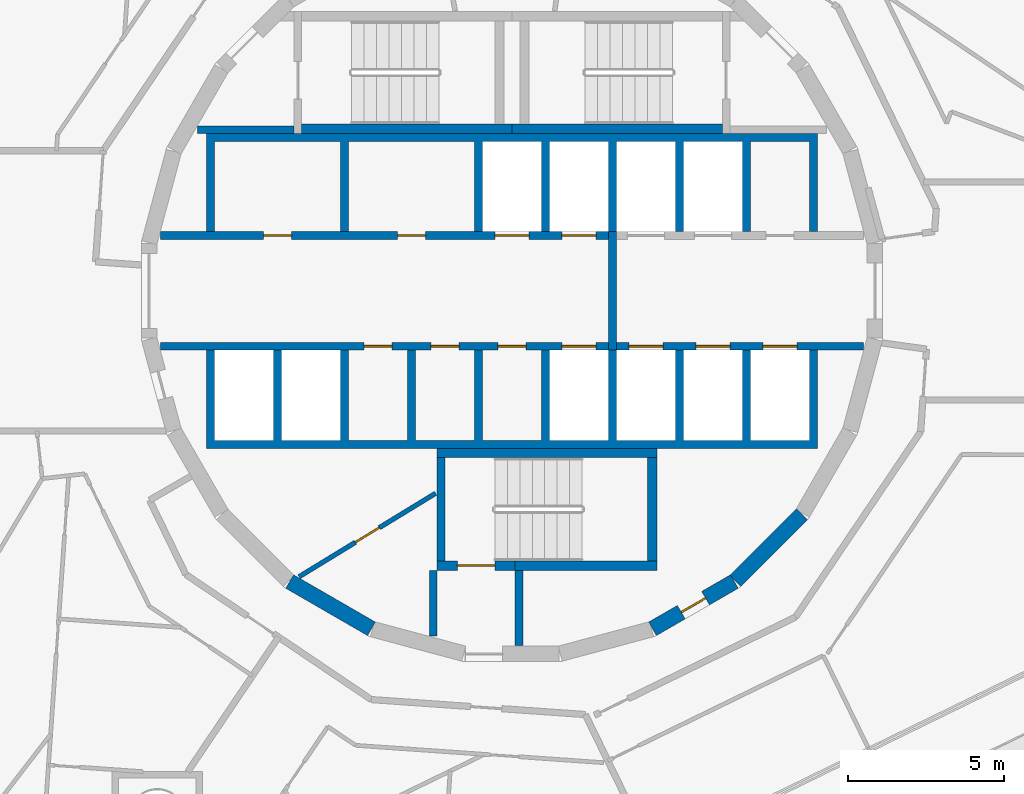
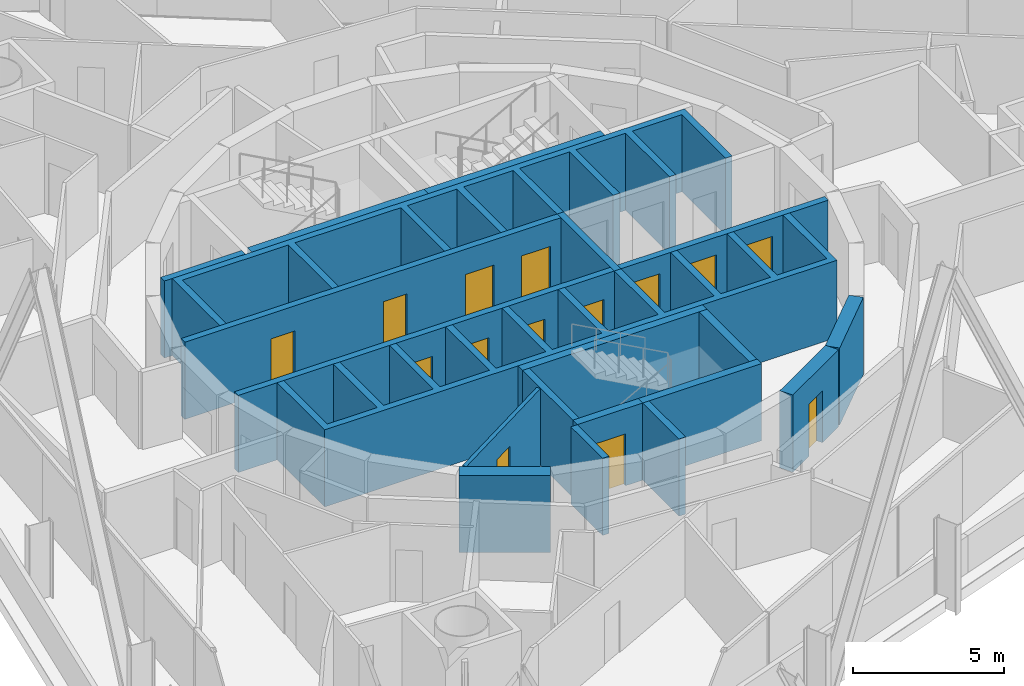
# One storey, part 13 of 18: 20 walls, 14 doors, 14 openings.
"""IFC4 building model written with IfcOpenShell, lengths in metres."""

from ifc_helpers import new_model, si_unit, direction, frame, frame_2d, origin, place, context, subcontext, project, spatial, polyline, rectangle, outline, extrude, material, layer, layer_set, type_object, element, fill, save


model = new_model("IFC4")

# Units and contexts
model_context = context("Model", 3, precision=1e-05, world=origin(), true_north=direction((0.0, 1.0)))
body_context = subcontext(model_context, "Body", "Model", "MODEL_VIEW")
ifc_project = project(units=[si_unit("LENGTHUNIT", "METRE"), si_unit("AREAUNIT", "SQUARE_METRE"), si_unit("VOLUMEUNIT", "CUBIC_METRE"), si_unit("PLANEANGLEUNIT", "RADIAN"), si_unit("MASSUNIT", "GRAM", prefix="KILO")], contexts=[model_context])

# Site, building, storey
site_placement = place(None, origin())
site = spatial("IfcSite", under=ifc_project, at=site_placement, CompositionType="ELEMENT")
building_placement = place(site_placement, origin())
building = spatial("IfcBuilding", under=site, at=building_placement, Name="Spindle Arch Residences", CompositionType="ELEMENT")
storey_placement = place(building_placement, frame((0.0, 0.0, 188.39990234375)))
storey = spatial("IfcBuildingStorey", under=building, at=storey_placement, Name="L47", CompositionType="ELEMENT", Elevation=188.39990234375)

# Wall, opening, door
ifc_material_1 = material(Name="Concrete C50/60", Category="concrete")
ifc_layer_1 = layer(ifc_material_1, 0.5)
ifc_layer_set_1 = layer_set([ifc_layer_1], Name="Core outline wall 500")
wall_type_1 = type_object("IfcWallType", Name="Core outline wall 500", PredefinedType="SHEAR", material=ifc_layer_set_1)
wall_1_placement = place(storey_placement, frame((4.510498046875, -10.84521484375, 0.0), z_axis=(0.0, 0.0, 1.0), x_axis=(0.865975092491, 0.500087131594, 0.0)))
wall_1 = element("IfcWall", 1, at=wall_1_placement, inside=storey, type_object=wall_type_1, Name="Core outline wall 2", PredefinedType="SHEAR", context=body_context, shape_type="SweptSolid", body=[
    extrude(rectangle(XDim=3.03271484375, YDim=0.5, at=frame_2d((1.516357421875, 0.0))), origin(), (0.0, 0.0, 1.0), 3.1201171875),
])
opening_1_placement = place(wall_1_placement, frame((1.06640625, 0.0, 0.0)))
opening_1 = element("IfcOpeningElement", 2, at=opening_1_placement, cuts=wall_1, Name="Opening R5A0-WD10", PredefinedType="OPENING", context=body_context, shape_type="SweptSolid", body=[
    extrude(rectangle(XDim=0.89990234375, YDim=2.10009765625, at=frame_2d((0.449951171875, 1.050048828125))), frame((0.0, 0.260009765625, 0.0), z_axis=(0.0, -1.0, 0.0), x_axis=(1.0, 0.0, 0.0)), (0.0, 0.0, 1.0), 0.52001953125),
])
ifc_material_2 = material(Name="Steel, fire-resisting door", Category="steel")
door_type_1 = type_object("IfcDoorType", Name="Service room door 900x2100", OperationType="SINGLE_SWING_LEFT", PredefinedType="DOOR", material=ifc_material_2)
door_1_placement = place(opening_1_placement, origin())
door_1 = element("IfcDoor", 3, at=door_1_placement, inside=storey, type_object=door_type_1, Name="Service room door R5A0-WD10", OperationType="SINGLE_SWING_RIGHT", OverallHeight=2.10009765625, OverallWidth=0.89990234375, PredefinedType="DOOR", context=body_context, shape_type="SweptSolid", body=[
    extrude(rectangle(XDim=0.89990234375, YDim=2.10009765625, at=frame_2d((0.449951171875, 1.050048828125))), frame((0.0, 0.02490234375, 0.0), z_axis=(0.0, -1.0, 0.0), x_axis=(1.0, 0.0, 0.0)), (0.0, 0.0, 1.0), 0.050048828125),
])
fill(opening_1, door_1)

# Walls
wall_2_placement = place(storey_placement, frame((7.163818359375, -9.30810546875, 0.0), z_axis=(0.0, 0.0, 1.0), x_axis=(0.707106781187, 0.707106781187, 0.0)))
element("IfcWall", 4, at=wall_2_placement, inside=storey, type_object=wall_type_1, Name="Core outline wall 3", PredefinedType="SHEAR", context=body_context, shape_type="SweptSolid", body=[
    extrude(rectangle(XDim=3.032470703125, YDim=0.5, at=frame_2d((1.51611328125, 0.0))), origin(), (0.0, 0.0, 1.0), 3.1201171875),
])
wall_3_placement = place(storey_placement, frame((-7.13671875, -9.32861328125, 0.0), z_axis=(0.0, 0.0, 1.0), x_axis=(0.865975092491, -0.500087131594, 0.0)))
element("IfcWall", 5, at=wall_3_placement, inside=storey, type_object=wall_type_1, Name="Core outline wall 22", PredefinedType="SHEAR", context=body_context, shape_type="SweptSolid", body=[
    extrude(rectangle(XDim=3.03271484375, YDim=0.5, at=frame_2d((1.516357421875, 0.0))), origin(), (0.0, 0.0, 1.0), 3.1201171875),
])
ifc_material_3 = material(Name="Concrete C40/50", Category="concrete")
ifc_layer_2 = layer(ifc_material_3, 0.25)
ifc_layer_set_2 = layer_set([ifc_layer_2], Name="Fire-lift lobby wall 250")
wall_type_2 = type_object("IfcWallType", Name="Fire-lift lobby wall 250", PredefinedType="SHEAR", material=ifc_layer_set_2)
wall_4_placement = place(storey_placement, frame((3.22509765625, -1.89990234375, 0.0), z_axis=(0.0, 0.0, 1.0), x_axis=(0.0, 1.0, 0.0)))
element("IfcWall", 6, at=wall_4_placement, inside=storey, type_object=wall_type_2, Name="Fire-fighting lobby partition", PredefinedType="SHEAR", context=body_context, shape_type="SweptSolid", body=[
    extrude(rectangle(XDim=3.7998046875, YDim=0.25, at=frame_2d((1.89990234375, 0.0))), origin(), (0.0, 0.0, 1.0), 3.1201171875),
])

# Wall, openings, doors
ifc_material_4 = material(Name="Concrete C50/60", Category="concrete")
ifc_layer_3 = layer(ifc_material_4, 0.25)
ifc_layer_set_3 = layer_set([ifc_layer_3], Name="Fire-lift shaft wall 250")
wall_type_3 = type_object("IfcWallType", Name="Fire-lift shaft wall 250", PredefinedType="SHEAR", material=ifc_layer_set_3)
wall_5_placement = place(storey_placement, frame((3.35009765625, -1.77490234375, 0.0), z_axis=(0.0, 0.0, 1.0), x_axis=(1.0, 0.0, 0.0)))
wall_5 = element("IfcWall", 7, at=wall_5_placement, inside=storey, type_object=wall_type_3, Name="Lift shaft front wall SE", PredefinedType="SHEAR", context=body_context, shape_type="SweptSolid", body=[
    extrude(rectangle(XDim=7.929931640625, YDim=0.25, at=frame_2d((3.96484375, 0.0))), origin(), (0.0, 0.0, 1.0), 3.1201171875),
])
opening_2_placement = place(wall_5_placement, frame((0.39990234375, 0.0, 0.0)))
opening_2 = element("IfcOpeningElement", 8, at=opening_2_placement, cuts=wall_5, Name="Opening R5A0-FLD01", PredefinedType="OPENING", context=body_context, shape_type="SweptSolid", body=[
    extrude(rectangle(XDim=1.10009765625, YDim=2.39990234375, at=frame_2d((0.550048828125, 1.199951171875))), frame((0.0, 0.135009765625, 0.0), z_axis=(0.0, -1.0, 0.0), x_axis=(1.0, 0.0, 0.0)), (0.0, 0.0, 1.0), 0.27001953125),
])
opening_3_placement = place(wall_5_placement, frame((2.550048828125, 0.0, 0.0)))
opening_3 = element("IfcOpeningElement", 9, at=opening_3_placement, cuts=wall_5, Name="Opening R5A0-FLD02", PredefinedType="OPENING", context=body_context, shape_type="SweptSolid", body=[
    extrude(rectangle(XDim=1.10009765625, YDim=2.39990234375, at=frame_2d((0.550048828125, 1.199951171875))), frame((0.0, 0.135009765625, 0.0), z_axis=(0.0, -1.0, 0.0), x_axis=(1.0, 0.0, 0.0)), (0.0, 0.0, 1.0), 0.27001953125),
])
opening_4_placement = place(wall_5_placement, frame((4.699951171875, 0.0, 0.0)))
opening_4 = element("IfcOpeningElement", 10, at=opening_4_placement, cuts=wall_5, Name="Opening R5A0-FLD03", PredefinedType="OPENING", context=body_context, shape_type="SweptSolid", body=[
    extrude(rectangle(XDim=1.10009765625, YDim=2.39990234375, at=frame_2d((0.550048828125, 1.199951171875))), frame((0.0, 0.135009765625, 0.0), z_axis=(0.0, -1.0, 0.0), x_axis=(1.0, 0.0, 0.0)), (0.0, 0.0, 1.0), 0.27001953125),
])
ifc_material_5 = material(Name="Steel, fire-resisting landing door", Category="steel")
door_type_2 = type_object("IfcDoorType", Name="Fire-fighting lift landing door 1100x2400", OperationType="DOUBLE_DOOR_SLIDING", PredefinedType="DOOR", material=ifc_material_5)
door_2_placement = place(opening_2_placement, origin())
door_2 = element("IfcDoor", 11, at=door_2_placement, inside=storey, type_object=door_type_2, Name="Fire-fighting lift landing door R5A0-FLD01", OperationType="DOUBLE_DOOR_SLIDING", OverallHeight=2.39990234375, OverallWidth=1.10009765625, PredefinedType="DOOR", context=body_context, shape_type="SweptSolid", body=[
    extrude(rectangle(XDim=1.10009765625, YDim=2.39990234375, at=frame_2d((0.550048828125, 1.199951171875))), frame((0.0, 0.02490234375, 0.0), z_axis=(0.0, -1.0, 0.0), x_axis=(1.0, 0.0, 0.0)), (0.0, 0.0, 1.0), 0.050048828125),
])
fill(opening_2, door_2)
door_3_placement = place(opening_3_placement, origin())
door_3 = element("IfcDoor", 12, at=door_3_placement, inside=storey, type_object=door_type_2, Name="Fire-fighting lift landing door R5A0-FLD02", OperationType="DOUBLE_DOOR_SLIDING", OverallHeight=2.39990234375, OverallWidth=1.10009765625, PredefinedType="DOOR", context=body_context, shape_type="SweptSolid", body=[
    extrude(rectangle(XDim=1.10009765625, YDim=2.39990234375, at=frame_2d((0.550048828125, 1.199951171875))), frame((0.0, 0.02490234375, 0.0), z_axis=(0.0, -1.0, 0.0), x_axis=(1.0, 0.0, 0.0)), (0.0, 0.0, 1.0), 0.050048828125),
])
fill(opening_3, door_3)
door_4_placement = place(opening_4_placement, origin())
door_4 = element("IfcDoor", 13, at=door_4_placement, inside=storey, type_object=door_type_2, Name="Fire-fighting lift landing door R5A0-FLD03", OperationType="DOUBLE_DOOR_SLIDING", OverallHeight=2.39990234375, OverallWidth=1.10009765625, PredefinedType="DOOR", context=body_context, shape_type="SweptSolid", body=[
    extrude(rectangle(XDim=1.10009765625, YDim=2.39990234375, at=frame_2d((0.550048828125, 1.199951171875))), frame((0.0, 0.02490234375, 0.0), z_axis=(0.0, -1.0, 0.0), x_axis=(1.0, 0.0, 0.0)), (0.0, 0.0, 1.0), 0.050048828125),
])
fill(opening_4, door_4)

ifc_material_6 = material(Name="Concrete C50/60", Category="concrete")
ifc_layer_4 = layer(ifc_material_6, 0.25)
ifc_layer_set_4 = layer_set([ifc_layer_4], Name="Lift shaft wall 250")
wall_type_4 = type_object("IfcWallType", Name="Lift shaft wall 250", PredefinedType="SHEAR", material=ifc_layer_set_4)
wall_6_placement = place(storey_placement, frame((-11.280029296875, 1.77490234375, 0.0), z_axis=(0.0, 0.0, 1.0), x_axis=(1.0, 0.0, 0.0)))
wall_6 = element("IfcWall", 14, at=wall_6_placement, inside=storey, type_object=wall_type_4, Name="Lift shaft front wall NW", PredefinedType="SHEAR", context=body_context, shape_type="SweptSolid", body=[
    extrude(rectangle(XDim=14.380126953125, YDim=0.25, at=frame_2d((7.18994140625, 0.0))), origin(), (0.0, 0.0, 1.0), 3.1201171875),
])
opening_5_placement = place(wall_6_placement, frame((10.72998046875, 0.0, 0.0)))
opening_5 = element("IfcOpeningElement", 15, at=opening_5_placement, cuts=wall_6, Name="Opening R5A0-LD01", PredefinedType="OPENING", context=body_context, shape_type="SweptSolid", body=[
    extrude(rectangle(XDim=1.10009765625, YDim=2.10009765625, at=frame_2d((0.550048828125, 1.050048828125))), frame((0.0, 0.135009765625, 0.0), z_axis=(0.0, -1.0, 0.0), x_axis=(1.0, 0.0, 0.0)), (0.0, 0.0, 1.0), 0.27001953125),
])
opening_6_placement = place(wall_6_placement, frame((12.8798828125, 0.0, 0.0)))
opening_6 = element("IfcOpeningElement", 16, at=opening_6_placement, cuts=wall_6, Name="Opening R5A0-LD02", PredefinedType="OPENING", context=body_context, shape_type="SweptSolid", body=[
    extrude(rectangle(XDim=1.10009765625, YDim=2.10009765625, at=frame_2d((0.550048828125, 1.050048828125))), frame((0.0, 0.135009765625, 0.0), z_axis=(0.0, -1.0, 0.0), x_axis=(1.0, 0.0, 0.0)), (0.0, 0.0, 1.0), 0.27001953125),
])
opening_7_placement = place(wall_6_placement, frame((3.304931640625, 0.0, 0.0)))
opening_7 = element("IfcOpeningElement", 17, at=opening_7_placement, cuts=wall_6, Name="Opening R5A0-WD01", PredefinedType="OPENING", context=body_context, shape_type="SweptSolid", body=[
    extrude(rectangle(XDim=0.89990234375, YDim=2.10009765625, at=frame_2d((0.449951171875, 1.050048828125))), frame((0.0, 0.135009765625, 0.0), z_axis=(0.0, -1.0, 0.0), x_axis=(1.0, 0.0, 0.0)), (0.0, 0.0, 1.0), 0.27001953125),
])
opening_8_placement = place(wall_6_placement, frame((7.60498046875, 0.0, 0.0)))
opening_8 = element("IfcOpeningElement", 18, at=opening_8_placement, cuts=wall_6, Name="Opening R5A0-WD02", PredefinedType="OPENING", context=body_context, shape_type="SweptSolid", body=[
    extrude(rectangle(XDim=0.89990234375, YDim=2.10009765625, at=frame_2d((0.449951171875, 1.050048828125))), frame((0.0, 0.135009765625, 0.0), z_axis=(0.0, -1.0, 0.0), x_axis=(1.0, 0.0, 0.0)), (0.0, 0.0, 1.0), 0.27001953125),
])
ifc_material_7 = material(Name="Steel, fire-resisting landing door", Category="steel")
door_type_3 = type_object("IfcDoorType", Name="Lift landing door 1100x2100", OperationType="DOUBLE_DOOR_SLIDING", PredefinedType="DOOR", material=ifc_material_7)
door_5_placement = place(opening_5_placement, origin())
door_5 = element("IfcDoor", 19, at=door_5_placement, inside=storey, type_object=door_type_3, Name="Lift landing door R5A0-LD01", OperationType="DOUBLE_DOOR_SLIDING", OverallHeight=2.10009765625, OverallWidth=1.10009765625, PredefinedType="DOOR", context=body_context, shape_type="SweptSolid", body=[
    extrude(rectangle(XDim=1.10009765625, YDim=2.10009765625, at=frame_2d((0.550048828125, 1.050048828125))), frame((0.0, 0.02490234375, 0.0), z_axis=(0.0, -1.0, 0.0), x_axis=(1.0, 0.0, 0.0)), (0.0, 0.0, 1.0), 0.050048828125),
])
fill(opening_5, door_5)
door_6_placement = place(opening_6_placement, origin())
door_6 = element("IfcDoor", 20, at=door_6_placement, inside=storey, type_object=door_type_3, Name="Lift landing door R5A0-LD02", OperationType="DOUBLE_DOOR_SLIDING", OverallHeight=2.10009765625, OverallWidth=1.10009765625, PredefinedType="DOOR", context=body_context, shape_type="SweptSolid", body=[
    extrude(rectangle(XDim=1.10009765625, YDim=2.10009765625, at=frame_2d((0.550048828125, 1.050048828125))), frame((0.0, 0.02490234375, 0.0), z_axis=(0.0, -1.0, 0.0), x_axis=(1.0, 0.0, 0.0)), (0.0, 0.0, 1.0), 0.050048828125),
])
fill(opening_6, door_6)
door_7_placement = place(opening_7_placement, origin())
door_7 = element("IfcDoor", 21, at=door_7_placement, inside=storey, type_object=door_type_1, Name="Service room door R5A0-WD01", OperationType="SINGLE_SWING_LEFT", OverallHeight=2.10009765625, OverallWidth=0.89990234375, PredefinedType="DOOR", context=body_context, shape_type="SweptSolid", body=[
    extrude(rectangle(XDim=0.89990234375, YDim=2.10009765625, at=frame_2d((0.449951171875, 1.050048828125))), frame((0.0, 0.02490234375, 0.0), z_axis=(0.0, -1.0, 0.0), x_axis=(1.0, 0.0, 0.0)), (0.0, 0.0, 1.0), 0.050048828125),
])
fill(opening_7, door_7)
door_8_placement = place(opening_8_placement, origin())
door_8 = element("IfcDoor", 22, at=door_8_placement, inside=storey, type_object=door_type_1, Name="Service room door R5A0-WD02", OperationType="SINGLE_SWING_RIGHT", OverallHeight=2.10009765625, OverallWidth=0.89990234375, PredefinedType="DOOR", context=body_context, shape_type="SweptSolid", body=[
    extrude(rectangle(XDim=0.89990234375, YDim=2.10009765625, at=frame_2d((0.449951171875, 1.050048828125))), frame((0.0, 0.02490234375, 0.0), z_axis=(0.0, -1.0, 0.0), x_axis=(1.0, 0.0, 0.0)), (0.0, 0.0, 1.0), 0.050048828125),
])
fill(opening_8, door_8)

wall_7_placement = place(storey_placement, frame((-11.280029296875, -1.77490234375, 0.0), z_axis=(0.0, 0.0, 1.0), x_axis=(1.0, 0.0, 0.0)))
wall_7 = element("IfcWall", 23, at=wall_7_placement, inside=storey, type_object=wall_type_4, Name="Lift shaft front wall SW", PredefinedType="SHEAR", context=body_context, shape_type="SweptSolid", body=[
    extrude(rectangle(XDim=14.380126953125, YDim=0.25, at=frame_2d((7.18994140625, 0.0))), origin(), (0.0, 0.0, 1.0), 3.1201171875),
])
opening_9_placement = place(wall_7_placement, frame((12.8798828125, 0.0, 0.0)))
opening_9 = element("IfcOpeningElement", 24, at=opening_9_placement, cuts=wall_7, Name="Opening R5A0-LD03", PredefinedType="OPENING", context=body_context, shape_type="SweptSolid", body=[
    extrude(rectangle(XDim=1.10009765625, YDim=2.10009765625, at=frame_2d((0.550048828125, 1.050048828125))), frame((0.0, 0.135009765625, 0.0), z_axis=(0.0, -1.0, 0.0), x_axis=(1.0, 0.0, 0.0)), (0.0, 0.0, 1.0), 0.27001953125),
])
opening_10_placement = place(wall_7_placement, frame((6.530029296875, 0.0, 0.0)))
opening_10 = element("IfcOpeningElement", 25, at=opening_10_placement, cuts=wall_7, Name="Opening R5A0-WD04", PredefinedType="OPENING", context=body_context, shape_type="SweptSolid", body=[
    extrude(rectangle(XDim=0.89990234375, YDim=2.10009765625, at=frame_2d((0.449951171875, 1.050048828125))), frame((0.0, 0.135009765625, 0.0), z_axis=(0.0, -1.0, 0.0), x_axis=(1.0, 0.0, 0.0)), (0.0, 0.0, 1.0), 0.27001953125),
])
opening_11_placement = place(wall_7_placement, frame((8.679931640625, 0.0, 0.0)))
opening_11 = element("IfcOpeningElement", 26, at=opening_11_placement, cuts=wall_7, Name="Opening R5A0-WD05", PredefinedType="OPENING", context=body_context, shape_type="SweptSolid", body=[
    extrude(rectangle(XDim=0.89990234375, YDim=2.10009765625, at=frame_2d((0.449951171875, 1.050048828125))), frame((0.0, 0.135009765625, 0.0), z_axis=(0.0, -1.0, 0.0), x_axis=(1.0, 0.0, 0.0)), (0.0, 0.0, 1.0), 0.27001953125),
])
opening_12_placement = place(wall_7_placement, frame((10.830078125, 0.0, 0.0)))
opening_12 = element("IfcOpeningElement", 27, at=opening_12_placement, cuts=wall_7, Name="Opening R5A0-WD06", PredefinedType="OPENING", context=body_context, shape_type="SweptSolid", body=[
    extrude(rectangle(XDim=0.89990234375, YDim=2.10009765625, at=frame_2d((0.449951171875, 1.050048828125))), frame((0.0, 0.135009765625, 0.0), z_axis=(0.0, -1.0, 0.0), x_axis=(1.0, 0.0, 0.0)), (0.0, 0.0, 1.0), 0.27001953125),
])
door_9_placement = place(opening_9_placement, origin())
door_9 = element("IfcDoor", 28, at=door_9_placement, inside=storey, type_object=door_type_3, Name="Lift landing door R5A0-LD03", OperationType="DOUBLE_DOOR_SLIDING", OverallHeight=2.10009765625, OverallWidth=1.10009765625, PredefinedType="DOOR", context=body_context, shape_type="SweptSolid", body=[
    extrude(rectangle(XDim=1.10009765625, YDim=2.10009765625, at=frame_2d((0.550048828125, 1.050048828125))), frame((0.0, 0.02490234375, 0.0), z_axis=(0.0, -1.0, 0.0), x_axis=(1.0, 0.0, 0.0)), (0.0, 0.0, 1.0), 0.050048828125),
])
fill(opening_9, door_9)
door_10_placement = place(opening_10_placement, origin())
door_10 = element("IfcDoor", 29, at=door_10_placement, inside=storey, type_object=door_type_1, Name="Service room door R5A0-WD04", OperationType="SINGLE_SWING_RIGHT", OverallHeight=2.10009765625, OverallWidth=0.89990234375, PredefinedType="DOOR", context=body_context, shape_type="SweptSolid", body=[
    extrude(rectangle(XDim=0.89990234375, YDim=2.10009765625, at=frame_2d((0.449951171875, 1.050048828125))), frame((0.0, 0.02490234375, 0.0), z_axis=(0.0, -1.0, 0.0), x_axis=(1.0, 0.0, 0.0)), (0.0, 0.0, 1.0), 0.050048828125),
])
fill(opening_10, door_10)
door_11_placement = place(opening_11_placement, origin())
door_11 = element("IfcDoor", 30, at=door_11_placement, inside=storey, type_object=door_type_1, Name="Service room door R5A0-WD05", OperationType="SINGLE_SWING_LEFT", OverallHeight=2.10009765625, OverallWidth=0.89990234375, PredefinedType="DOOR", context=body_context, shape_type="SweptSolid", body=[
    extrude(rectangle(XDim=0.89990234375, YDim=2.10009765625, at=frame_2d((0.449951171875, 1.050048828125))), frame((0.0, 0.02490234375, 0.0), z_axis=(0.0, -1.0, 0.0), x_axis=(1.0, 0.0, 0.0)), (0.0, 0.0, 1.0), 0.050048828125),
])
fill(opening_11, door_11)
door_12_placement = place(opening_12_placement, origin())
door_12 = element("IfcDoor", 31, at=door_12_placement, inside=storey, type_object=door_type_1, Name="Service room door R5A0-WD06", OperationType="SINGLE_SWING_RIGHT", OverallHeight=2.10009765625, OverallWidth=0.89990234375, PredefinedType="DOOR", context=body_context, shape_type="SweptSolid", body=[
    extrude(rectangle(XDim=0.89990234375, YDim=2.10009765625, at=frame_2d((0.449951171875, 1.050048828125))), frame((0.0, 0.02490234375, 0.0), z_axis=(0.0, -1.0, 0.0), x_axis=(1.0, 0.0, 0.0)), (0.0, 0.0, 1.0), 0.050048828125),
])
fill(opening_12, door_12)

# Walls
ifc_material_8 = material(Name="Concrete C50/60", Category="concrete")
wall_type_5 = type_object("IfcWallType", Name="Lift shaft wall profile", PredefinedType="SHEAR", material=ifc_material_8)
wall_8_placement = place(storey_placement, origin())
element("IfcWall", 32, at=wall_8_placement, inside=storey, type_object=wall_type_5, Name="Lift shaft walls N", PredefinedType="SHEAR", context=body_context, shape_type="SweptSolid", body=[
    extrude(outline(polyline([(-9.550048828125, 4.800048828125), (-5.5, 4.800048828125), (-5.5, 1.89990234375), (-5.25, 1.89990234375), (-5.25, 4.800048828125), (-1.199951171875, 4.800048828125), (-1.199951171875, 1.89990234375), (-0.949951171875, 1.89990234375), (-0.949951171875, 4.800048828125), (0.949951171875, 4.800048828125), (0.949951171875, 1.89990234375), (1.199951171875, 1.89990234375), (1.199951171875, 4.800048828125), (3.10009765625, 4.800048828125), (3.10009765625, 1.89990234375), (3.35009765625, 1.89990234375), (3.35009765625, 4.800048828125), (5.25, 4.800048828125), (5.25, 1.89990234375), (5.5, 1.89990234375), (5.5, 4.800048828125), (7.39990234375, 4.800048828125), (7.39990234375, 1.89990234375), (7.64990234375, 1.89990234375), (7.64990234375, 4.800048828125), (9.550048828125, 4.800048828125), (9.550048828125, 1.89990234375), (9.800048828125, 1.89990234375), (9.800048828125, 4.800048828125), (9.800048828125, 5.050048828125), (-9.800048828125, 5.050048828125), (-9.800048828125, 4.800048828125), (-9.800048828125, 1.89990234375), (-9.550048828125, 1.89990234375), (-9.550048828125, 4.800048828125)])), origin(), (0.0, 0.0, 1.0), 3.1201171875),
])
wall_9_placement = place(storey_placement, origin())
element("IfcWall", 33, at=wall_9_placement, inside=storey, type_object=wall_type_5, Name="Lift shaft walls S", PredefinedType="SHEAR", context=body_context, shape_type="SweptSolid", body=[
    extrude(outline(polyline([(9.800048828125, -5.050048828125), (9.800048828125, -4.800048828125), (9.800048828125, -1.89990234375), (9.550048828125, -1.89990234375), (9.550048828125, -4.800048828125), (7.64990234375, -4.800048828125), (7.64990234375, -1.89990234375), (7.39990234375, -1.89990234375), (7.39990234375, -4.800048828125), (5.5, -4.800048828125), (5.5, -1.89990234375), (5.25, -1.89990234375), (5.25, -4.800048828125), (3.35009765625, -4.800048828125), (3.35009765625, -1.89990234375), (3.10009765625, -1.89990234375), (3.10009765625, -4.800048828125), (1.199951171875, -4.800048828125), (1.199951171875, -1.89990234375), (0.949951171875, -1.89990234375), (0.949951171875, -4.800048828125), (-0.949951171875, -4.800048828125), (-0.949951171875, -1.89990234375), (-1.199951171875, -1.89990234375), (-1.199951171875, -4.800048828125), (-3.10009765625, -4.800048828125), (-3.10009765625, -1.89990234375), (-3.35009765625, -1.89990234375), (-3.35009765625, -4.800048828125), (-5.25, -4.800048828125), (-5.25, -1.89990234375), (-5.5, -1.89990234375), (-5.5, -4.800048828125), (-7.39990234375, -4.800048828125), (-7.39990234375, -1.89990234375), (-7.64990234375, -1.89990234375), (-7.64990234375, -4.800048828125), (-9.550048828125, -4.800048828125), (-9.550048828125, -1.89990234375), (-9.800048828125, -1.89990234375), (-9.800048828125, -4.800048828125), (-9.800048828125, -5.050048828125), (9.800048828125, -5.050048828125)])), origin(), (0.0, 0.0, 1.0), 3.1201171875),
])

# Wall, opening, door
ifc_material_9 = material(Name="Concrete C25/30", Category="concrete")
ifc_layer_5 = layer(ifc_material_9, 0.14990234375)
ifc_layer_set_5 = layer_set([ifc_layer_5], Name="Service room partition 150")
wall_type_6 = type_object("IfcWallType", Name="Service room partition 150", PredefinedType="PARTITIONING", material=ifc_layer_set_5)
wall_10_placement = place(storey_placement, frame((-2.451171875, -6.49462890625, 0.0), z_axis=(0.0, 0.0, 1.0), x_axis=(-0.853250115418, -0.521501908471, 0.0)))
wall_10 = element("IfcWall", 34, at=wall_10_placement, inside=storey, type_object=wall_type_6, Name="Core service room partition", PredefinedType="PARTITIONING", context=body_context, shape_type="SweptSolid", body=[
    extrude(rectangle(XDim=5.137451171875, YDim=0.14990234375, at=frame_2d((2.56884765625, 0.0))), origin(), (0.0, 0.0, 1.0), 3.1201171875),
])
opening_13_placement = place(wall_10_placement, frame((2.11865234375, 0.0, 0.0)))
opening_13 = element("IfcOpeningElement", 35, at=opening_13_placement, cuts=wall_10, Name="Opening R5A0-WD07", PredefinedType="OPENING", context=body_context, shape_type="SweptSolid", body=[
    extrude(rectangle(XDim=0.89990234375, YDim=2.10009765625, at=frame_2d((0.449951171875, 1.050048828125))), frame((0.0, 0.0849609375, 0.0), z_axis=(0.0, -1.0, 0.0), x_axis=(1.0, 0.0, 0.0)), (0.0, 0.0, 1.0), 0.169921875),
])
door_13_placement = place(opening_13_placement, origin())
door_13 = element("IfcDoor", 36, at=door_13_placement, inside=storey, type_object=door_type_1, Name="Service room door R5A0-WD07", OperationType="SINGLE_SWING_LEFT", OverallHeight=2.10009765625, OverallWidth=0.89990234375, PredefinedType="DOOR", context=body_context, shape_type="SweptSolid", body=[
    extrude(rectangle(XDim=0.89990234375, YDim=2.10009765625, at=frame_2d((0.449951171875, 1.050048828125))), frame((0.0, 0.02490234375, 0.0), z_axis=(0.0, -1.0, 0.0), x_axis=(1.0, 0.0, 0.0)), (0.0, 0.0, 1.0), 0.050048828125),
])
fill(opening_13, door_13)

# Walls
ifc_material_10 = material(Name="Concrete C40/50", Category="concrete")
ifc_layer_6 = layer(ifc_material_10, 0.25)
ifc_layer_set_6 = layer_set([ifc_layer_6], Name="Stair airlock wall 250")
wall_type_7 = type_object("IfcWallType", Name="Stair airlock wall 250", PredefinedType="SHEAR", material=ifc_layer_set_6)
wall_11_placement = place(storey_placement, frame((-7.0, 5.175048828125, 0.0), z_axis=(0.0, 0.0, 1.0), x_axis=(-1.0, 0.0, 0.0)))
element("IfcWall", 37, at=wall_11_placement, inside=storey, type_object=wall_type_7, Name="Stair ST-2 airlock wall S", PredefinedType="SHEAR", context=body_context, shape_type="SweptSolid", body=[
    extrude(rectangle(XDim=3.10009765625, YDim=0.25, at=frame_2d((1.550048828125, 0.0))), origin(), (0.0, 0.0, 1.0), 3.1201171875),
])
wall_12_placement = place(storey_placement, frame((-2.52490234375, -8.969970703125, 0.0), z_axis=(0.0, 0.0, 1.0), x_axis=(0.0, -1.0, 0.0)))
element("IfcWall", 38, at=wall_12_placement, inside=storey, type_object=wall_type_7, Name="Stair ST-3 airlock wall W", PredefinedType="SHEAR", context=body_context, shape_type="SweptSolid", body=[
    extrude(rectangle(XDim=2.110107421875, YDim=0.25, at=frame_2d((1.05517578125, 0.0))), origin(), (0.0, 0.0, 1.0), 3.1201171875),
])
wall_13_placement = place(storey_placement, frame((0.22509765625, -8.969970703125, 0.0), z_axis=(0.0, 0.0, 1.0), x_axis=(0.0, -1.0, 0.0)))
element("IfcWall", 39, at=wall_13_placement, inside=storey, type_object=wall_type_7, Name="Stair ST-3 airlock wall E", PredefinedType="SHEAR", context=body_context, shape_type="SweptSolid", body=[
    extrude(rectangle(XDim=2.409912109375, YDim=0.25, at=frame_2d((1.205078125, 0.0))), origin(), (0.0, 0.0, 1.0), 3.1201171875),
])
ifc_material_11 = material(Name="Concrete C50/60", Category="concrete")
ifc_layer_7 = layer(ifc_material_11, 0.25)
ifc_layer_set_7 = layer_set([ifc_layer_7], Name="Stair enclosure wall 250")
wall_type_8 = type_object("IfcWallType", Name="Stair enclosure wall 250", PredefinedType="SHEAR", material=ifc_layer_set_7)
wall_14_placement = place(storey_placement, frame((-2.27490234375, -8.669921875, 0.0), z_axis=(0.0, 0.0, 1.0), x_axis=(0.0, 1.0, 0.0)))
element("IfcWall", 40, at=wall_14_placement, inside=storey, type_object=wall_type_8, Name="Stair ST-3 enclosure wall W", PredefinedType="SHEAR", context=body_context, shape_type="SweptSolid", body=[
    extrude(rectangle(XDim=3.31982421875, YDim=0.25, at=frame_2d((1.659912109375, 0.0))), origin(), (0.0, 0.0, 1.0), 3.1201171875),
])
ifc_material_12 = material(Name="Concrete C50/60", Category="concrete")
ifc_layer_8 = layer(ifc_material_12, 0.300048828125)
ifc_layer_set_8 = layer_set([ifc_layer_8], Name="Stair enclosure wall 300")
wall_type_9 = type_object("IfcWallType", Name="Stair enclosure wall 300", PredefinedType="SHEAR", material=ifc_layer_set_8)
for number, where, z_axis, x_axis, name in (
    (41, (0.0, 5.199951171875, 0.0), (0.0, 0.0, 1.0), (1.0, 0.0, 0.0), "Stair ST-1 enclosure wall S"),
    (42, (-6.75, 5.199951171875, 0.0), (0.0, 0.0, 1.0), (1.0, 0.0, 0.0), "Stair ST-2 enclosure wall S"),
):
    element("IfcWall", number, at=place(storey_placement, frame(where, z_axis=z_axis, x_axis=x_axis)), inside=storey, type_object=wall_type_9, Name=name, PredefinedType="SHEAR", context=body_context, shape_type="SweptSolid", body=[
        extrude(rectangle(XDim=6.75, YDim=0.300048828125, at=frame_2d((3.375, 0.0))), origin(), (0.0, 0.0, 1.0), 3.1201171875),
    ])
wall_15_placement = place(storey_placement, frame((-2.39990234375, -5.199951171875, 0.0), z_axis=(0.0, 0.0, 1.0), x_axis=(1.0, 0.0, 0.0)))
element("IfcWall", 43, at=wall_15_placement, inside=storey, type_object=wall_type_9, Name="Stair ST-3 enclosure wall N", PredefinedType="SHEAR", context=body_context, shape_type="SweptSolid", body=[
    extrude(rectangle(XDim=7.0498046875, YDim=0.300048828125, at=frame_2d((3.52490234375, 0.0))), origin(), (0.0, 0.0, 1.0), 3.1201171875),
])
wall_16_placement = place(storey_placement, frame((4.5, -8.669921875, 0.0), z_axis=(0.0, 0.0, 1.0), x_axis=(0.0, 1.0, 0.0)))
element("IfcWall", 44, at=wall_16_placement, inside=storey, type_object=wall_type_9, Name="Stair ST-3 enclosure wall E", PredefinedType="SHEAR", context=body_context, shape_type="SweptSolid", body=[
    extrude(rectangle(XDim=3.31982421875, YDim=0.300048828125, at=frame_2d((1.659912109375, 0.0))), origin(), (0.0, 0.0, 1.0), 3.1201171875),
])
wall_17_placement = place(storey_placement, frame((0.10009765625, -8.820068359375, 0.0), z_axis=(0.0, 0.0, 1.0), x_axis=(1.0, 0.0, 0.0)))
element("IfcWall", 45, at=wall_17_placement, inside=storey, type_object=wall_type_9, Name="Stair ST-3 enclosure wall S", PredefinedType="SHEAR", context=body_context, shape_type="SweptSolid", body=[
    extrude(rectangle(XDim=4.5498046875, YDim=0.300048828125, at=frame_2d((2.27490234375, 0.0))), origin(), (0.0, 0.0, 1.0), 3.1201171875),
])

# Wall, opening, door
wall_18_placement = place(storey_placement, frame((-2.39990234375, -8.820068359375, 0.0), z_axis=(0.0, 0.0, 1.0), x_axis=(1.0, 0.0, 0.0)))
wall_18 = element("IfcWall", 46, at=wall_18_placement, inside=storey, type_object=wall_type_9, Name="Stair ST-3 door wall", PredefinedType="SHEAR", context=body_context, shape_type="SweptSolid", body=[
    extrude(rectangle(XDim=2.5, YDim=0.300048828125, at=frame_2d((1.25, 0.0))), origin(), (0.0, 0.0, 1.0), 3.1201171875),
])
opening_14_placement = place(wall_18_placement, frame((0.64990234375, 0.0, 0.0)))
opening_14 = element("IfcOpeningElement", 47, at=opening_14_placement, cuts=wall_18, Name="Opening R5A0-SD03", PredefinedType="OPENING", context=body_context, shape_type="SweptSolid", body=[
    extrude(rectangle(XDim=1.199951171875, YDim=2.10009765625, at=frame_2d((0.60009765625, 1.050048828125))), frame((0.0, 0.16015625, 0.0), z_axis=(0.0, -1.0, 0.0), x_axis=(1.0, 0.0, 0.0)), (0.0, 0.0, 1.0), 0.320068359375),
])
ifc_material_13 = material(Name="Steel, fire-resisting door", Category="steel")
door_type_4 = type_object("IfcDoorType", Name="Stair door 1200x2100", OperationType="SINGLE_SWING_RIGHT", PredefinedType="DOOR", material=ifc_material_13)
door_14_placement = place(opening_14_placement, origin())
door_14 = element("IfcDoor", 48, at=door_14_placement, inside=storey, type_object=door_type_4, Name="Stair door R5A0-SD03", OperationType="SINGLE_SWING_LEFT", OverallHeight=2.10009765625, OverallWidth=1.199951171875, PredefinedType="DOOR", context=body_context, shape_type="SweptSolid", body=[
    extrude(rectangle(XDim=1.199951171875, YDim=2.10009765625, at=frame_2d((0.60009765625, 1.050048828125))), frame((0.0, 0.02490234375, 0.0), z_axis=(0.0, -1.0, 0.0), x_axis=(1.0, 0.0, 0.0)), (0.0, 0.0, 1.0), 0.050048828125),
])
fill(opening_14, door_14)

save(model, "model.ifc")
